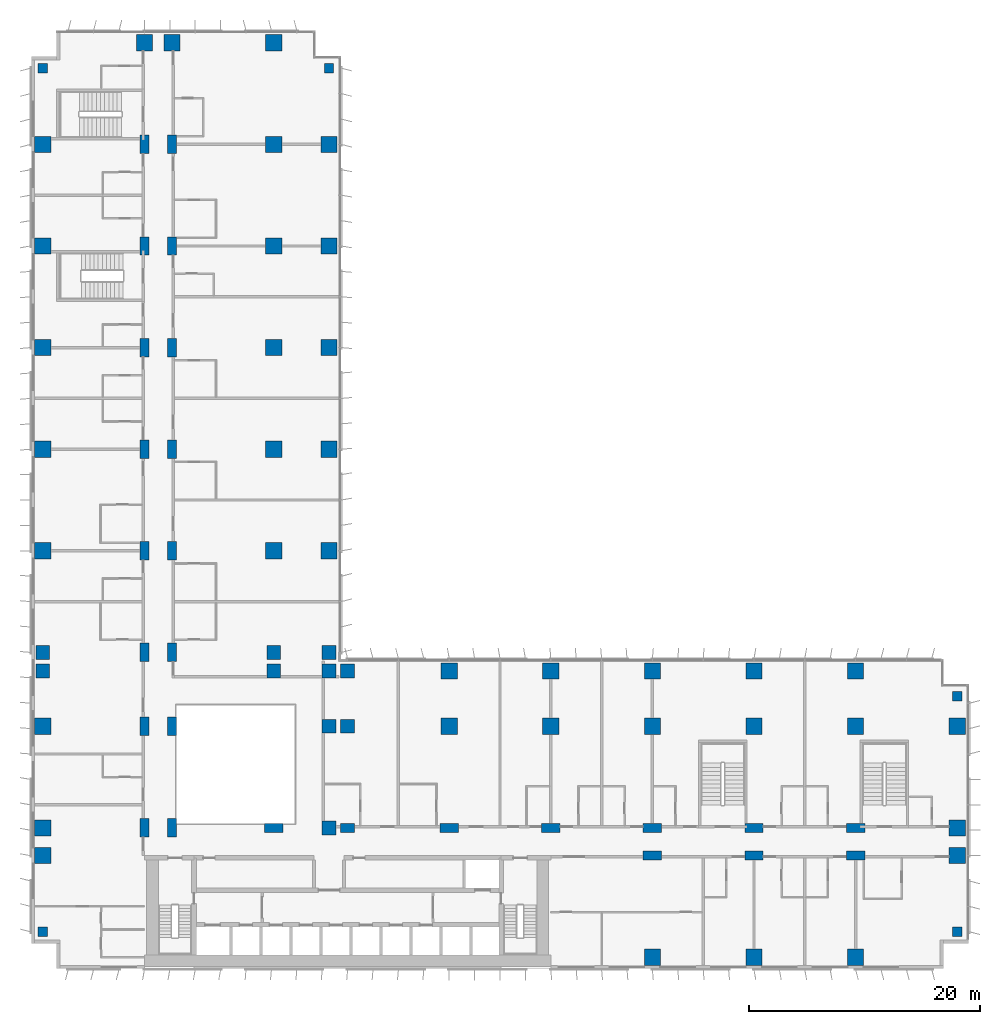
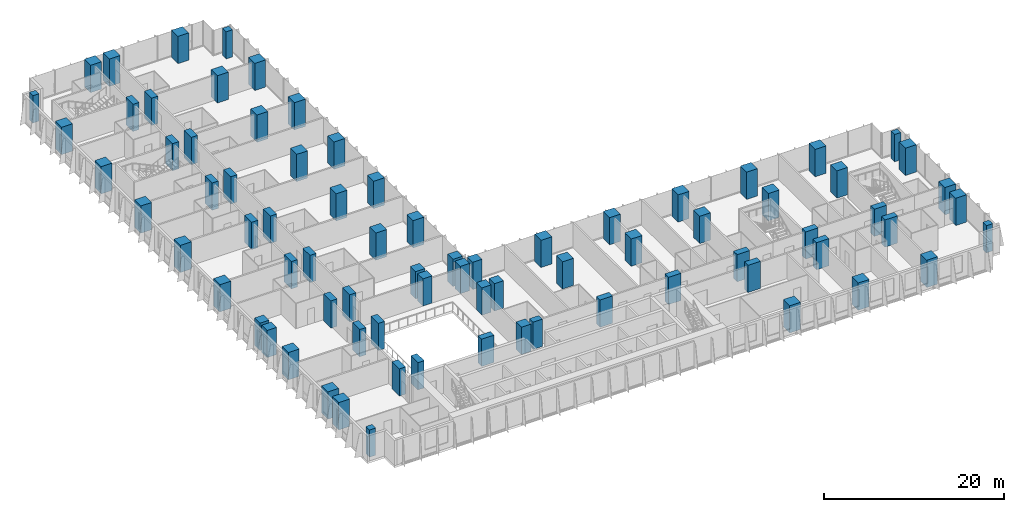
# One storey, part 1 of 24: 78 columns.
"""IFC4 building model written with IfcOpenShell, lengths in metres."""

from ifc_helpers import new_model, si_unit, direction, frame, origin, origin_2d, place, context, subcontext, project, spatial, rectangle, extrude, material, material_profile, profile_set, type_object, element, save


model = new_model("IFC4")

# Units and contexts
model_context = context("Model", 3, precision=1e-05, world=origin(), true_north=direction((0.0, 1.0)))
body_context = subcontext(model_context, "Body", "Model", "MODEL_VIEW")
ifc_project = project(units=[si_unit("LENGTHUNIT", "METRE"), si_unit("AREAUNIT", "SQUARE_METRE"), si_unit("VOLUMEUNIT", "CUBIC_METRE"), si_unit("PLANEANGLEUNIT", "RADIAN"), si_unit("MASSUNIT", "GRAM", prefix="KILO")], contexts=[model_context])

# Site, building, storey
site_placement = place(None, origin())
site = spatial("IfcSite", under=ifc_project, at=site_placement, CompositionType="ELEMENT")
building_placement = place(site_placement, origin())
building = spatial("IfcBuilding", under=site, at=building_placement, Name="Kemantara Hotel Tower", CompositionType="ELEMENT")
storey_placement = place(building_placement, frame((0.0, 0.0, 48.800048828125)))
storey = spatial("IfcBuildingStorey", under=building, at=storey_placement, Name="L10", CompositionType="ELEMENT", Elevation=48.800048828125)

# Columns
ifc_material = material(Name="Concrete fc 70 MPa", Category="concrete")
ifc_material_profile_1 = material_profile(ifc_material, rectangle(XDim=1.199951171875, YDim=1.199951171875, at=origin_2d()), Name="RC 1200X1200")
ifc_profile_set_1 = profile_set([ifc_material_profile_1], Name="Concrete fc 70 MPa")
column_type_1 = type_object("IfcColumnType", Name="RC COLUMN 1200X1200 FC70", PredefinedType="COLUMN", material=ifc_profile_set_1)
for number, where, z_axis, x_axis, name in (
    (1, (1.0, 25.800048828125, 0.0), (0.0, 0.0, 1.0), (1.0, 0.0, 0.0), "COLUMN 1/CA L10"),
    (2, (1.0, 27.39990234375, 0.0), (0.0, 0.0, 1.0), (1.0, 0.0, 0.0), "COLUMN 1/D L10"),
    (3, (21.0, 25.800048828125, 0.0), (0.0, 0.0, 1.0), (1.0, 0.0, 0.0), "COLUMN 3/CA L10"),
    (4, (21.0, 27.39990234375, 0.0), (0.0, 0.0, 1.0), (1.0, 0.0, 0.0), "COLUMN 3/D L10"),
    (5, (25.800048828125, 12.199951171875, 0.0), (0.0, 0.0, 1.0), (1.0, 0.0, 0.0), "COLUMN 3A/BA L10"),
    (6, (25.800048828125, 21.0, 0.0), (0.0, 0.0, 1.0), (1.0, 0.0, 0.0), "COLUMN 3A/C L10"),
    (7, (25.800048828125, 25.800048828125, 0.0), (0.0, 0.0, 1.0), (1.0, 0.0, 0.0), "COLUMN 3A/CA L10"),
    (8, (25.800048828125, 27.39990234375, 0.0), (0.0, 0.0, 1.0), (1.0, 0.0, 0.0), "COLUMN 3A/D L10"),
    (9, (27.39990234375, 21.0, 0.0), (0.0, 0.0, 1.0), (1.0, 0.0, 0.0), "COLUMN 4/C L10"),
    (10, (27.39990234375, 25.800048828125, 0.0), (0.0, 0.0, 1.0), (1.0, 0.0, 0.0), "COLUMN 4/CA L10"),
):
    element("IfcColumn", number, at=place(storey_placement, frame(where, z_axis=z_axis, x_axis=x_axis)), inside=storey, type_object=column_type_1, Name=name, PredefinedType="COLUMN", context=body_context, shape_type="SweptSolid", body=[
        extrude(rectangle(XDim=1.199951171875, YDim=1.199951171875, at=origin_2d()), origin(), (0.0, 0.0, 1.0), 3.699951171875),
    ])
ifc_material_profile_2 = material_profile(ifc_material, rectangle(XDim=1.199951171875, YDim=0.800048828125, at=origin_2d()), Name="RC 1200X800")
ifc_profile_set_2 = profile_set([ifc_material_profile_2], Name="Concrete fc 70 MPa")
column_type_2 = type_object("IfcColumnType", Name="RC COLUMN 1200X800 FC70", PredefinedType="COLUMN", material=ifc_profile_set_2)
column_placement = place(storey_placement, frame((27.39990234375, 12.199951171875, 0.0), z_axis=(0.0, 0.0, 1.0), x_axis=(1.0, 0.0, 0.0)))
element("IfcColumn", 11, at=column_placement, inside=storey, type_object=column_type_2, Name="COLUMN 4/BA L10", PredefinedType="COLUMN", context=body_context, shape_type="SweptSolid", body=[
    extrude(rectangle(XDim=1.199951171875, YDim=0.800048828125, at=origin_2d()), origin(), (0.0, 0.0, 1.0), 3.699951171875),
])
ifc_material_profile_3 = material_profile(ifc_material, rectangle(XDim=1.39990234375, YDim=1.39990234375, at=origin_2d()), Name="RC 1400X1400")
ifc_profile_set_3 = profile_set([ifc_material_profile_3], Name="Concrete fc 70 MPa")
column_type_3 = type_object("IfcColumnType", Name="RC COLUMN 1400X1400 FC70", PredefinedType="COLUMN", material=ifc_profile_set_3)
for number, where, z_axis, x_axis, name in (
    (12, (1.0, 9.800048828125, 0.0), (0.0, 0.0, 1.0), (1.0, 0.0, 0.0), "COLUMN 1/B L10"),
    (13, (1.0, 12.199951171875, 0.0), (0.0, 0.0, 1.0), (1.0, 0.0, 0.0), "COLUMN 1/BA L10"),
    (14, (1.0, 21.0, 0.0), (0.0, 0.0, 1.0), (1.0, 0.0, 0.0), "COLUMN 1/C L10"),
    (15, (1.0, 36.199951171875, 0.0), (0.0, 0.0, 1.0), (1.0, 0.0, 0.0), "COLUMN 1/E L10"),
    (16, (1.0, 45.0, 0.0), (0.0, 0.0, 1.0), (1.0, 0.0, 0.0), "COLUMN 1/F L10"),
    (17, (1.0, 53.800048828125, 0.0), (0.0, 0.0, 1.0), (1.0, 0.0, 0.0), "COLUMN 1/G L10"),
    (18, (1.0, 62.60009765625, 0.0), (0.0, 0.0, 1.0), (1.0, 0.0, 0.0), "COLUMN 1/H L10"),
    (19, (1.0, 71.39990234375, 0.0), (0.0, 0.0, 1.0), (1.0, 0.0, 0.0), "COLUMN 1/J L10"),
    (20, (9.800048828125, 80.199951171875, 0.0), (0.0, 0.0, 1.0), (1.0, 0.0, 0.0), "COLUMN 2/K L10"),
    (21, (12.199951171875, 80.199951171875, 0.0), (0.0, 0.0, 1.0), (1.0, 0.0, 0.0), "COLUMN 2A/K L10"),
    (22, (21.0, 36.199951171875, 0.0), (0.0, 0.0, 1.0), (1.0, 0.0, 0.0), "COLUMN 3/E L10"),
    (23, (21.0, 45.0, 0.0), (0.0, 0.0, 1.0), (1.0, 0.0, 0.0), "COLUMN 3/F L10"),
    (24, (21.0, 53.800048828125, 0.0), (0.0, 0.0, 1.0), (1.0, 0.0, 0.0), "COLUMN 3/G L10"),
    (25, (21.0, 62.60009765625, 0.0), (0.0, 0.0, 1.0), (1.0, 0.0, 0.0), "COLUMN 3/H L10"),
    (26, (21.0, 71.39990234375, 0.0), (0.0, 0.0, 1.0), (1.0, 0.0, 0.0), "COLUMN 3/J L10"),
    (27, (21.0, 80.199951171875, 0.0), (0.0, 0.0, 1.0), (1.0, 0.0, 0.0), "COLUMN 3/K L10"),
    (28, (25.800048828125, 36.199951171875, 0.0), (0.0, 0.0, 1.0), (1.0, 0.0, 0.0), "COLUMN 3A/E L10"),
    (29, (25.800048828125, 45.0, 0.0), (0.0, 0.0, 1.0), (1.0, 0.0, 0.0), "COLUMN 3A/F L10"),
    (30, (25.800048828125, 53.800048828125, 0.0), (0.0, 0.0, 1.0), (1.0, 0.0, 0.0), "COLUMN 3A/G L10"),
    (31, (25.800048828125, 62.60009765625, 0.0), (0.0, 0.0, 1.0), (1.0, 0.0, 0.0), "COLUMN 3A/H L10"),
    (32, (25.800048828125, 71.39990234375, 0.0), (0.0, 0.0, 1.0), (1.0, 0.0, 0.0), "COLUMN 3A/J L10"),
    (33, (36.199951171875, 21.0, 0.0), (0.0, 0.0, 1.0), (1.0, 0.0, 0.0), "COLUMN 5/C L10"),
    (34, (36.199951171875, 25.800048828125, 0.0), (0.0, 0.0, 1.0), (1.0, 0.0, 0.0), "COLUMN 5/CA L10"),
    (35, (45.0, 21.0, 0.0), (0.0, 0.0, 1.0), (1.0, 0.0, 0.0), "COLUMN 6/C L10"),
    (36, (45.0, 25.800048828125, 0.0), (0.0, 0.0, 1.0), (1.0, 0.0, 0.0), "COLUMN 6/CA L10"),
    (37, (53.800048828125, 1.0, 0.0), (0.0, 0.0, 1.0), (1.0, 0.0, 0.0), "COLUMN 7/A L10"),
    (38, (53.800048828125, 21.0, 0.0), (0.0, 0.0, 1.0), (1.0, 0.0, 0.0), "COLUMN 7/C L10"),
    (39, (53.800048828125, 25.800048828125, 0.0), (0.0, 0.0, 1.0), (1.0, 0.0, 0.0), "COLUMN 7/CA L10"),
    (40, (62.60009765625, 1.0, 0.0), (0.0, 0.0, 1.0), (1.0, 0.0, 0.0), "COLUMN 8/A L10"),
    (41, (62.60009765625, 21.0, 0.0), (0.0, 0.0, 1.0), (1.0, 0.0, 0.0), "COLUMN 8/C L10"),
    (42, (62.60009765625, 25.800048828125, 0.0), (0.0, 0.0, 1.0), (1.0, 0.0, 0.0), "COLUMN 8/CA L10"),
    (43, (71.39990234375, 1.0, 0.0), (0.0, 0.0, 1.0), (1.0, 0.0, 0.0), "COLUMN 9/A L10"),
    (44, (71.39990234375, 21.0, 0.0), (0.0, 0.0, 1.0), (1.0, 0.0, 0.0), "COLUMN 9/C L10"),
    (45, (71.39990234375, 25.800048828125, 0.0), (0.0, 0.0, 1.0), (1.0, 0.0, 0.0), "COLUMN 9/CA L10"),
    (46, (80.199951171875, 9.800048828125, 0.0), (0.0, 0.0, 1.0), (1.0, 0.0, 0.0), "COLUMN 10/B L10"),
    (47, (80.199951171875, 12.199951171875, 0.0), (0.0, 0.0, 1.0), (1.0, 0.0, 0.0), "COLUMN 10/BA L10"),
    (48, (80.199951171875, 21.0, 0.0), (0.0, 0.0, 1.0), (1.0, 0.0, 0.0), "COLUMN 10/C L10"),
):
    element("IfcColumn", number, at=place(storey_placement, frame(where, z_axis=z_axis, x_axis=x_axis)), inside=storey, type_object=column_type_3, Name=name, PredefinedType="COLUMN", context=body_context, shape_type="SweptSolid", body=[
        extrude(rectangle(XDim=1.39990234375, YDim=1.39990234375, at=origin_2d()), origin(), (0.0, 0.0, 1.0), 3.699951171875),
    ])
ifc_material_profile_4 = material_profile(ifc_material, rectangle(XDim=1.60009765625, YDim=0.800048828125, at=origin_2d()), Name="RC 1600X800")
ifc_profile_set_4 = profile_set([ifc_material_profile_4], Name="Concrete fc 70 MPa")
column_type_4 = type_object("IfcColumnType", Name="RC COLUMN 1600X800 FC70", PredefinedType="COLUMN", material=ifc_profile_set_4)
for number, where, z_axis, x_axis, name in (
    (49, (9.800048828125, 12.199951171875, 0.0), (0.0, 0.0, 1.0), (0.0, 1.0, 0.0), "COLUMN 2/BA L10"),
    (50, (9.800048828125, 21.0, 0.0), (0.0, 0.0, 1.0), (0.0, 1.0, 0.0), "COLUMN 2/C L10"),
    (51, (9.800048828125, 27.39990234375, 0.0), (0.0, 0.0, 1.0), (0.0, 1.0, 0.0), "COLUMN 2/D L10"),
    (52, (9.800048828125, 36.199951171875, 0.0), (0.0, 0.0, 1.0), (0.0, 1.0, 0.0), "COLUMN 2/E L10"),
    (53, (9.800048828125, 45.0, 0.0), (0.0, 0.0, 1.0), (0.0, 1.0, 0.0), "COLUMN 2/F L10"),
    (54, (9.800048828125, 53.800048828125, 0.0), (0.0, 0.0, 1.0), (0.0, 1.0, 0.0), "COLUMN 2/G L10"),
    (55, (9.800048828125, 62.60009765625, 0.0), (0.0, 0.0, 1.0), (0.0, 1.0, 0.0), "COLUMN 2/H L10"),
    (56, (9.800048828125, 71.39990234375, 0.0), (0.0, 0.0, 1.0), (0.0, 1.0, 0.0), "COLUMN 2/J L10"),
    (57, (12.199951171875, 12.199951171875, 0.0), (0.0, 0.0, 1.0), (0.0, 1.0, 0.0), "COLUMN 2A/BA L10"),
    (58, (12.199951171875, 21.0, 0.0), (0.0, 0.0, 1.0), (0.0, 1.0, 0.0), "COLUMN 2A/C L10"),
    (59, (12.199951171875, 27.39990234375, 0.0), (0.0, 0.0, 1.0), (0.0, 1.0, 0.0), "COLUMN 2A/D L10"),
    (60, (12.199951171875, 36.199951171875, 0.0), (0.0, 0.0, 1.0), (0.0, 1.0, 0.0), "COLUMN 2A/E L10"),
    (61, (12.199951171875, 45.0, 0.0), (0.0, 0.0, 1.0), (0.0, 1.0, 0.0), "COLUMN 2A/F L10"),
    (62, (12.199951171875, 53.800048828125, 0.0), (0.0, 0.0, 1.0), (0.0, 1.0, 0.0), "COLUMN 2A/G L10"),
    (63, (12.199951171875, 62.60009765625, 0.0), (0.0, 0.0, 1.0), (0.0, 1.0, 0.0), "COLUMN 2A/H L10"),
    (64, (12.199951171875, 71.39990234375, 0.0), (0.0, 0.0, 1.0), (0.0, 1.0, 0.0), "COLUMN 2A/J L10"),
    (65, (21.0, 12.199951171875, 0.0), (0.0, 0.0, 1.0), (1.0, 0.0, 0.0), "COLUMN 3/BA L10"),
    (66, (36.199951171875, 12.199951171875, 0.0), (0.0, 0.0, 1.0), (1.0, 0.0, 0.0), "COLUMN 5/BA L10"),
    (67, (45.0, 12.199951171875, 0.0), (0.0, 0.0, 1.0), (1.0, 0.0, 0.0), "COLUMN 6/BA L10"),
    (68, (53.800048828125, 9.800048828125, 0.0), (0.0, 0.0, 1.0), (1.0, 0.0, 0.0), "COLUMN 7/B L10"),
    (69, (53.800048828125, 12.199951171875, 0.0), (0.0, 0.0, 1.0), (1.0, 0.0, 0.0), "COLUMN 7/BA L10"),
    (70, (62.60009765625, 9.800048828125, 0.0), (0.0, 0.0, 1.0), (1.0, 0.0, 0.0), "COLUMN 8/B L10"),
    (71, (62.60009765625, 12.199951171875, 0.0), (0.0, 0.0, 1.0), (1.0, 0.0, 0.0), "COLUMN 8/BA L10"),
    (72, (71.39990234375, 9.800048828125, 0.0), (0.0, 0.0, 1.0), (1.0, 0.0, 0.0), "COLUMN 9/B L10"),
    (73, (71.39990234375, 12.199951171875, 0.0), (0.0, 0.0, 1.0), (1.0, 0.0, 0.0), "COLUMN 9/BA L10"),
):
    element("IfcColumn", number, at=place(storey_placement, frame(where, z_axis=z_axis, x_axis=x_axis)), inside=storey, type_object=column_type_4, Name=name, PredefinedType="COLUMN", context=body_context, shape_type="SweptSolid", body=[
        extrude(rectangle(XDim=1.60009765625, YDim=0.800048828125, at=origin_2d()), origin(), (0.0, 0.0, 1.0), 3.699951171875),
    ])
ifc_material_profile_5 = material_profile(ifc_material, rectangle(XDim=0.800048828125, YDim=0.800048828125, at=origin_2d()), Name="RC 800X800")
ifc_profile_set_5 = profile_set([ifc_material_profile_5], Name="Concrete fc 70 MPa")
column_type_5 = type_object("IfcColumnType", Name="RC COLUMN 800X800 FC70", PredefinedType="COLUMN", material=ifc_profile_set_5)
for number, where, z_axis, x_axis, name in (
    (74, (1.0, 3.199951171875, 0.0), (0.0, 0.0, 1.0), (1.0, 0.0, 0.0), "COLUMN notch corner L10"),
    (75, (1.0, 78.0, 0.0), (0.0, 0.0, 1.0), (1.0, 0.0, 0.0), "COLUMN notch corner L10"),
    (76, (25.800048828125, 78.0, 0.0), (0.0, 0.0, 1.0), (1.0, 0.0, 0.0), "COLUMN notch corner L10"),
    (77, (80.199951171875, 3.199951171875, 0.0), (0.0, 0.0, 1.0), (1.0, 0.0, 0.0), "COLUMN notch corner L10"),
    (78, (80.199951171875, 23.60009765625, 0.0), (0.0, 0.0, 1.0), (1.0, 0.0, 0.0), "COLUMN notch corner L10"),
):
    element("IfcColumn", number, at=place(storey_placement, frame(where, z_axis=z_axis, x_axis=x_axis)), inside=storey, type_object=column_type_5, Name=name, PredefinedType="COLUMN", context=body_context, shape_type="SweptSolid", body=[
        extrude(rectangle(XDim=0.800048828125, YDim=0.800048828125, at=origin_2d()), origin(), (0.0, 0.0, 1.0), 3.699951171875),
    ])

save(model, "model.ifc")
